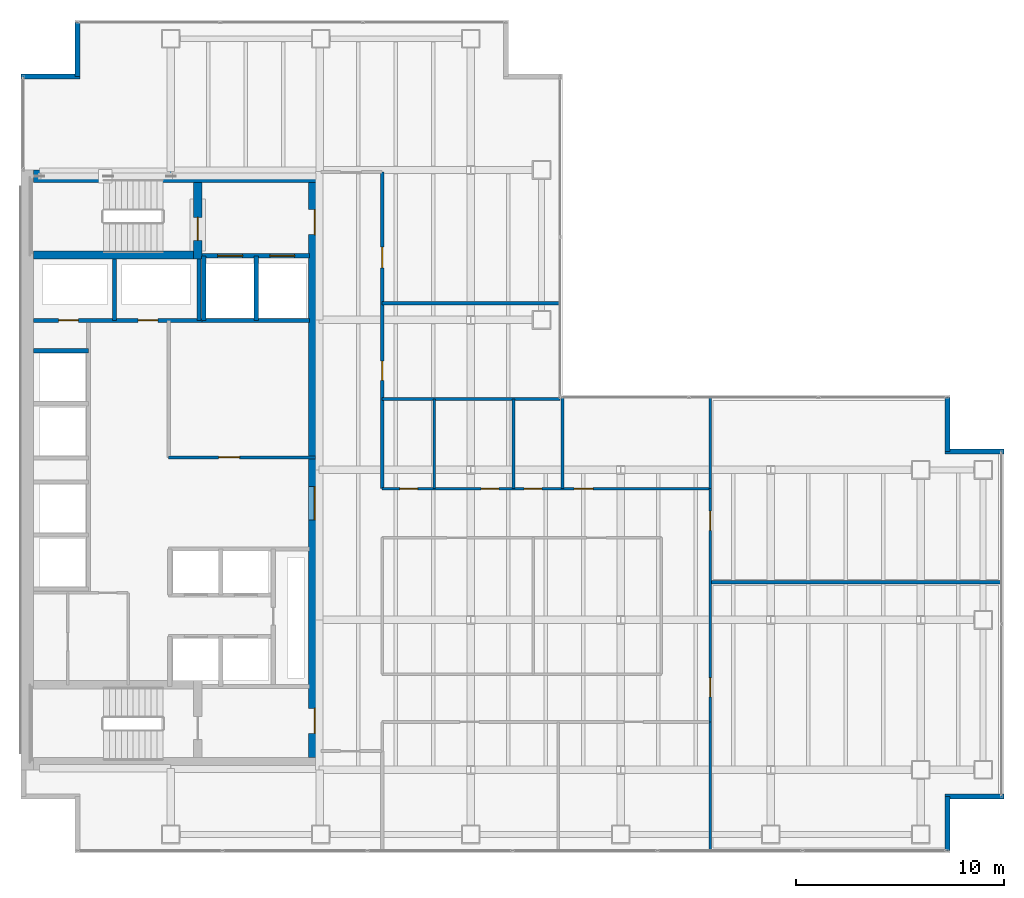
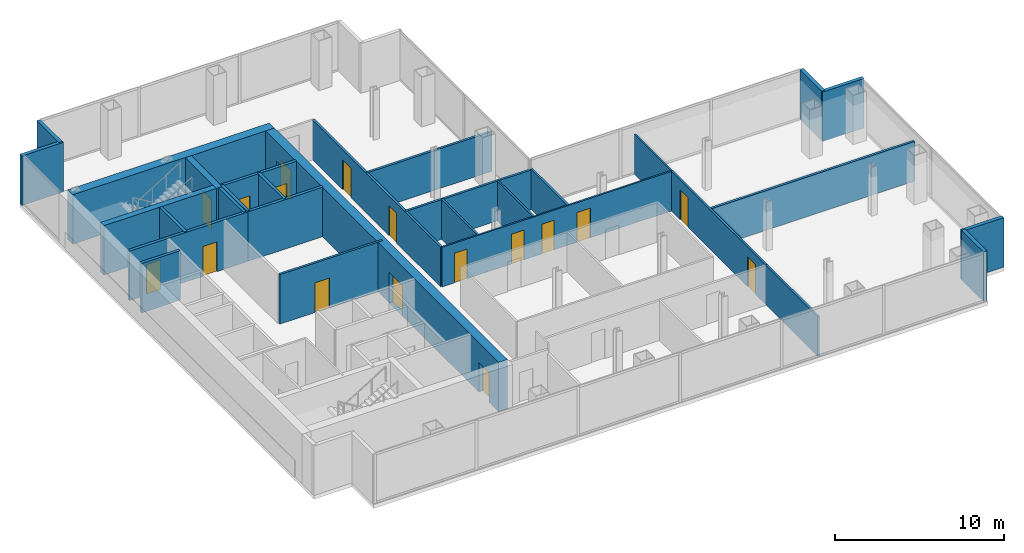
# One storey, part 21 of 23: 30 walls, 17 doors, 17 openings.
"""IFC4 building model written with IfcOpenShell, lengths in metres."""

from ifc_helpers import new_model, si_unit, direction, frame, frame_2d, origin, place, context, subcontext, project, spatial, rectangle, extrude, material, layer, layer_set, type_object, element, fill, save


model = new_model("IFC4")

# Units and contexts
model_context = context("Model", 3, precision=1e-05, world=origin(), true_north=direction((0.0, 1.0)))
body_context = subcontext(model_context, "Body", "Model", "MODEL_VIEW")
ifc_project = project(units=[si_unit("LENGTHUNIT", "METRE"), si_unit("AREAUNIT", "SQUARE_METRE"), si_unit("VOLUMEUNIT", "CUBIC_METRE"), si_unit("PLANEANGLEUNIT", "RADIAN"), si_unit("MASSUNIT", "GRAM", prefix="KILO")], contexts=[model_context])

# Site, building, storey
site_placement = place(None, origin())
site = spatial("IfcSite", under=ifc_project, at=site_placement, CompositionType="ELEMENT")
building_placement = place(site_placement, origin())
building = spatial("IfcBuilding", under=site, at=building_placement, Name="Cobrela Telecom Tower", CompositionType="ELEMENT")
storey_placement = place(building_placement, frame((0.0, 0.0, 140.699951171875)))
storey = spatial("IfcBuildingStorey", under=building, at=storey_placement, Name="L35", CompositionType="ELEMENT", Elevation=140.699951171875)

# Wall
ifc_material_1 = material(Name="Concrete C50/60", Category="concrete")
ifc_layer_1 = layer(ifc_material_1, 0.60009765625)
ifc_layer_set_1 = layer_set([ifc_layer_1], Name="Concrete C50/60")
wall_type_1 = type_object("IfcWallType", Name="WALL-CORE-C50-600", PredefinedType="SHEAR", material=ifc_layer_set_1)
wall_1_placement = place(storey_placement, frame((0.60009765625, 35.699951171875, 0.0), z_axis=(0.0, 0.0, 1.0), x_axis=(1.0, 0.0, 0.0)))
element("IfcWall", 1, at=wall_1_placement, inside=storey, type_object=wall_type_1, Name="L35 North Core Shear Wall", PredefinedType="SHEAR", context=body_context, shape_type="SweptSolid", body=[
    extrude(rectangle(XDim=13.7998046875, YDim=0.60009765625, at=frame_2d((6.89990234375, 0.0))), origin(), (0.0, 0.0, 1.0), 3.580078125),
])

# Wall, openings, doors
wall_2_placement = place(storey_placement, frame((14.10009765625, 35.39990234375, 0.0), z_axis=(0.0, 0.0, 1.0), x_axis=(0.0, -1.0, 0.0)))
wall_2 = element("IfcWall", 2, at=wall_2_placement, inside=storey, type_object=wall_type_1, Name="L35 East Core Shear Wall", PredefinedType="SHEAR", context=body_context, shape_type="SweptSolid", body=[
    extrude(rectangle(XDim=27.599853515625, YDim=0.60009765625, at=frame_2d((13.7998046875, 0.0))), origin(), (0.0, 0.0, 1.0), 3.580078125),
])
opening_1_placement = place(wall_2_placement, frame((1.300048828125, 0.0, 0.0)))
opening_1 = element("IfcOpeningElement", 3, at=opening_1_placement, cuts=wall_2, Name="Opening DR-19", PredefinedType="OPENING", context=body_context, shape_type="SweptSolid", body=[
    extrude(rectangle(XDim=1.199951171875, YDim=2.14990234375, at=frame_2d((0.60009765625, 1.074951171875))), frame((0.0, 0.31201171875, 0.0), z_axis=(0.0, -1.0, 0.0), x_axis=(1.0, 0.0, 0.0)), (0.0, 0.0, 1.0), 0.6240234375),
])
opening_2_placement = place(wall_2_placement, frame((25.25, 0.0, 0.0)))
opening_2 = element("IfcOpeningElement", 4, at=opening_2_placement, cuts=wall_2, Name="Opening DR-19", PredefinedType="OPENING", context=body_context, shape_type="SweptSolid", body=[
    extrude(rectangle(XDim=1.199951171875, YDim=2.14990234375, at=frame_2d((0.60009765625, 1.074951171875))), frame((0.0, 0.31201171875, 0.0), z_axis=(0.0, -1.0, 0.0), x_axis=(1.0, 0.0, 0.0)), (0.0, 0.0, 1.0), 0.6240234375),
])
opening_3_placement = place(wall_2_placement, frame((14.60009765625, 0.0, 0.0)))
opening_3 = element("IfcOpeningElement", 5, at=opening_3_placement, cuts=wall_2, Name="Opening DR-51", PredefinedType="OPENING", context=body_context, shape_type="SweptSolid", body=[
    extrude(rectangle(XDim=1.60009765625, YDim=2.199951171875, at=frame_2d((0.800048828125, 1.10009765625))), frame((0.0, 0.31201171875, 0.0), z_axis=(0.0, -1.0, 0.0), x_axis=(1.0, 0.0, 0.0)), (0.0, 0.0, 1.0), 0.6240234375),
])
ifc_material_2 = material(Name="Steel ASTM A36", Category="steel")
door_type_1 = type_object("IfcDoorType", Name="DOOR-FD60-1200", OperationType="SINGLE_SWING_LEFT", PredefinedType="DOOR", material=ifc_material_2)
door_1_placement = place(opening_1_placement, origin())
door_1 = element("IfcDoor", 6, at=door_1_placement, inside=storey, type_object=door_type_1, Name="L35 Door DR-19", OperationType="SINGLE_SWING_LEFT", OverallHeight=2.14990234375, OverallWidth=1.199951171875, PredefinedType="DOOR", context=body_context, shape_type="SweptSolid", body=[
    extrude(rectangle(XDim=1.199951171875, YDim=2.14990234375, at=frame_2d((0.60009765625, 1.074951171875))), frame((0.0, 0.02490234375, 0.0), z_axis=(0.0, -1.0, 0.0), x_axis=(1.0, 0.0, 0.0)), (0.0, 0.0, 1.0), 0.050048828125),
])
fill(opening_1, door_1)
door_2_placement = place(opening_2_placement, origin())
door_2 = element("IfcDoor", 7, at=door_2_placement, inside=storey, type_object=door_type_1, Name="L35 Door DR-19", OperationType="SINGLE_SWING_RIGHT", OverallHeight=2.14990234375, OverallWidth=1.199951171875, PredefinedType="DOOR", context=body_context, shape_type="SweptSolid", body=[
    extrude(rectangle(XDim=1.199951171875, YDim=2.14990234375, at=frame_2d((0.60009765625, 1.074951171875))), frame((0.0, 0.02490234375, 0.0), z_axis=(0.0, -1.0, 0.0), x_axis=(1.0, 0.0, 0.0)), (0.0, 0.0, 1.0), 0.050048828125),
])
fill(opening_2, door_2)
door_type_2 = type_object("IfcDoorType", Name="DOOR-FD60-1600", OperationType="SINGLE_SWING_LEFT", PredefinedType="DOOR", material=ifc_material_2)
door_3_placement = place(opening_3_placement, origin())
door_3 = element("IfcDoor", 8, at=door_3_placement, inside=storey, type_object=door_type_2, Name="L35 Door DR-51", OperationType="DOUBLE_DOOR_SINGLE_SWING", OverallHeight=2.199951171875, OverallWidth=1.60009765625, PredefinedType="DOOR", context=body_context, shape_type="SweptSolid", body=[
    extrude(rectangle(XDim=1.60009765625, YDim=2.199951171875, at=frame_2d((0.800048828125, 1.10009765625))), frame((0.0, 0.02490234375, 0.0), z_axis=(0.0, -1.0, 0.0), x_axis=(1.0, 0.0, 0.0)), (0.0, 0.0, 1.0), 0.050048828125),
])
fill(opening_3, door_3)

# Walls
ifc_material_3 = material(Name="Concrete C40/50", Category="concrete")
ifc_layer_2 = layer(ifc_material_3, 0.239990234375)
ifc_layer_set_2 = layer_set([ifc_layer_2], Name="Concrete C40/50")
wall_type_2 = type_object("IfcWallType", Name="WALL-EXT-300", PredefinedType="STANDARD", material=ifc_layer_set_2)
wall_3_placement = place(storey_placement, frame((0.0, 40.489990234375, 0.0), z_axis=(0.0, 0.0, 1.0), x_axis=(1.0, 0.0, 0.0)))
element("IfcWall", 9, at=wall_3_placement, inside=storey, type_object=wall_type_2, Name="L35 Insulated Facade Wall 05", PredefinedType="STANDARD", context=body_context, shape_type="SweptSolid", body=[
    extrude(rectangle(XDim=2.830078125, YDim=0.239990234375, at=frame_2d((1.4150390625, 0.0))), origin(), (0.0, 0.0, 1.0), 3.580078125),
])
for number, where, z_axis, x_axis, name in (
    (10, (2.7099609375, 40.489990234375, 0.0), (0.0, 0.0, 1.0), (0.0, 1.0, 0.0), "L35 Insulated Facade Wall 06"),
    (11, (44.489990234375, 25.080078125, 0.0), (0.0, 0.0, 1.0), (0.0, -1.0, 0.0), "L35 Insulated Facade Wall 12"),
):
    element("IfcWall", number, at=place(storey_placement, frame(where, z_axis=z_axis, x_axis=x_axis)), inside=storey, type_object=wall_type_2, Name=name, PredefinedType="STANDARD", context=body_context, shape_type="SweptSolid", body=[
        extrude(rectangle(XDim=2.590087890625, YDim=0.239990234375, at=frame_2d((1.294921875, 0.0))), origin(), (0.0, 0.0, 1.0), 3.580078125),
    ])
for number, where, z_axis, x_axis, name in (
    (12, (44.3701171875, 22.489990234375, 0.0), (0.0, 0.0, 1.0), (1.0, 0.0, 0.0), "L35 Insulated Facade Wall 13"),
    (13, (47.199951171875, 5.909912109375, 0.0), (0.0, 0.0, 1.0), (-1.0, 0.0, 0.0), "L35 Insulated Facade Wall 15"),
):
    element("IfcWall", number, at=place(storey_placement, frame(where, z_axis=z_axis, x_axis=x_axis)), inside=storey, type_object=wall_type_2, Name=name, PredefinedType="STANDARD", context=body_context, shape_type="SweptSolid", body=[
        extrude(rectangle(XDim=2.829833984375, YDim=0.239990234375, at=frame_2d((1.4150390625, 0.0))), origin(), (0.0, 0.0, 1.0), 3.580078125),
    ])
wall_4_placement = place(storey_placement, frame((44.489990234375, 5.909912109375, 0.0), z_axis=(0.0, 0.0, 1.0), x_axis=(0.0, -1.0, 0.0)))
element("IfcWall", 14, at=wall_4_placement, inside=storey, type_object=wall_type_2, Name="L35 Insulated Facade Wall 16", PredefinedType="STANDARD", context=body_context, shape_type="SweptSolid", body=[
    extrude(rectangle(XDim=2.58984375, YDim=0.239990234375, at=frame_2d((1.294921875, 0.0))), origin(), (0.0, 0.0, 1.0), 3.580078125),
])

# Wall, openings, doors
ifc_material_4 = material(Name="Fire-Rated Gypsum Plasterboard")
ifc_layer_3 = layer(ifc_material_4, 0.110107421875)
ifc_layer_set_3 = layer_set([ifc_layer_3], Name="Fire-Rated Gypsum Plasterboard")
wall_type_3 = type_object("IfcWallType", Name="WALL-PART-110", PredefinedType="PARTITIONING", material=ifc_layer_set_3)
wall_5_placement = place(storey_placement, frame((17.35009765625, 20.699951171875, 0.0), z_axis=(0.0, 0.0, 1.0), x_axis=(1.0, 0.0, 0.0)))
wall_5 = element("IfcWall", 15, at=wall_5_placement, inside=storey, type_object=wall_type_3, Name="L35 Interior Partition W-UN-N", PredefinedType="PARTITIONING", context=body_context, shape_type="SweptSolid", body=[
    extrude(rectangle(XDim=15.75, YDim=0.110107421875, at=frame_2d((7.875, 0.0))), origin(), (0.0, 0.0, 1.0), 2.869140625),
])
opening_4_placement = place(wall_5_placement, frame((0.85009765625, 0.0, 0.0)))
opening_4 = element("IfcOpeningElement", 16, at=opening_4_placement, cuts=wall_5, Name="Opening DR-11", PredefinedType="OPENING", context=body_context, shape_type="SweptSolid", body=[
    extrude(rectangle(XDim=0.85009765625, YDim=2.14990234375, at=frame_2d((0.425048828125, 1.074951171875))), frame((0.0, 0.06689453125, 0.0), z_axis=(0.0, -1.0, 0.0), x_axis=(1.0, 0.0, 0.0)), (0.0, 0.0, 1.0), 0.134033203125),
])
opening_5_placement = place(wall_5_placement, frame((4.75, 0.0, 0.0)))
opening_5 = element("IfcOpeningElement", 17, at=opening_5_placement, cuts=wall_5, Name="Opening DR-11", PredefinedType="OPENING", context=body_context, shape_type="SweptSolid", body=[
    extrude(rectangle(XDim=0.85009765625, YDim=2.14990234375, at=frame_2d((0.425048828125, 1.074951171875))), frame((0.0, 0.06689453125, 0.0), z_axis=(0.0, -1.0, 0.0), x_axis=(1.0, 0.0, 0.0)), (0.0, 0.0, 1.0), 0.134033203125),
])
opening_6_placement = place(wall_5_placement, frame((6.81005859375, 0.0, 0.0)))
opening_6 = element("IfcOpeningElement", 18, at=opening_6_placement, cuts=wall_5, Name="Opening DR-11", PredefinedType="OPENING", context=body_context, shape_type="SweptSolid", body=[
    extrude(rectangle(XDim=0.85009765625, YDim=2.14990234375, at=frame_2d((0.425048828125, 1.074951171875))), frame((0.0, 0.06689453125, 0.0), z_axis=(0.0, -1.0, 0.0), x_axis=(1.0, 0.0, 0.0)), (0.0, 0.0, 1.0), 0.134033203125),
])
opening_7_placement = place(wall_5_placement, frame((9.2099609375, 0.0, 0.0)))
opening_7 = element("IfcOpeningElement", 19, at=opening_7_placement, cuts=wall_5, Name="Opening DR-45", PredefinedType="OPENING", context=body_context, shape_type="SweptSolid", body=[
    extrude(rectangle(XDim=0.919921875, YDim=2.14990234375, at=frame_2d((0.4599609375, 1.074951171875))), frame((0.0, 0.06689453125, 0.0), z_axis=(0.0, -1.0, 0.0), x_axis=(1.0, 0.0, 0.0)), (0.0, 0.0, 1.0), 0.134033203125),
])
ifc_material_5 = material(Name="Solid Engineered Oak Timber", Category="wood")
door_type_3 = type_object("IfcDoorType", Name="DOOR-INT-850", OperationType="SINGLE_SWING_LEFT", PredefinedType="DOOR", material=ifc_material_5)
door_4_placement = place(opening_4_placement, origin())
door_4 = element("IfcDoor", 20, at=door_4_placement, inside=storey, type_object=door_type_3, Name="L35 Door DR-11", OperationType="SINGLE_SWING_LEFT", OverallHeight=2.14990234375, OverallWidth=0.85009765625, PredefinedType="DOOR", context=body_context, shape_type="SweptSolid", body=[
    extrude(rectangle(XDim=0.85009765625, YDim=2.14990234375, at=frame_2d((0.425048828125, 1.074951171875))), frame((0.0, 0.02490234375, 0.0), z_axis=(0.0, -1.0, 0.0), x_axis=(1.0, 0.0, 0.0)), (0.0, 0.0, 1.0), 0.050048828125),
])
fill(opening_4, door_4)
door_5_placement = place(opening_5_placement, origin())
door_5 = element("IfcDoor", 21, at=door_5_placement, inside=storey, type_object=door_type_3, Name="L35 Door DR-11", OperationType="SINGLE_SWING_RIGHT", OverallHeight=2.14990234375, OverallWidth=0.85009765625, PredefinedType="DOOR", context=body_context, shape_type="SweptSolid", body=[
    extrude(rectangle(XDim=0.85009765625, YDim=2.14990234375, at=frame_2d((0.425048828125, 1.074951171875))), frame((0.0, 0.02490234375, 0.0), z_axis=(0.0, -1.0, 0.0), x_axis=(1.0, 0.0, 0.0)), (0.0, 0.0, 1.0), 0.050048828125),
])
fill(opening_5, door_5)
door_6_placement = place(opening_6_placement, origin())
door_6 = element("IfcDoor", 22, at=door_6_placement, inside=storey, type_object=door_type_3, Name="L35 Door DR-11", OperationType="SINGLE_SWING_LEFT", OverallHeight=2.14990234375, OverallWidth=0.85009765625, PredefinedType="DOOR", context=body_context, shape_type="SweptSolid", body=[
    extrude(rectangle(XDim=0.85009765625, YDim=2.14990234375, at=frame_2d((0.425048828125, 1.074951171875))), frame((0.0, 0.02490234375, 0.0), z_axis=(0.0, -1.0, 0.0), x_axis=(1.0, 0.0, 0.0)), (0.0, 0.0, 1.0), 0.050048828125),
])
fill(opening_6, door_6)
door_type_4 = type_object("IfcDoorType", Name="DOOR-INT-920", OperationType="SINGLE_SWING_LEFT", PredefinedType="DOOR", material=ifc_material_5)
door_7_placement = place(opening_7_placement, origin())
door_7 = element("IfcDoor", 23, at=door_7_placement, inside=storey, type_object=door_type_4, Name="L35 Door DR-45", OperationType="SINGLE_SWING_RIGHT", OverallHeight=2.14990234375, OverallWidth=0.919921875, PredefinedType="DOOR", context=body_context, shape_type="SweptSolid", body=[
    extrude(rectangle(XDim=0.919921875, YDim=2.14990234375, at=frame_2d((0.4599609375, 1.074951171875))), frame((0.0, 0.02490234375, 0.0), z_axis=(0.0, -1.0, 0.0), x_axis=(1.0, 0.0, 0.0)), (0.0, 0.0, 1.0), 0.050048828125),
])
fill(opening_7, door_7)

# Walls
wall_6_placement = place(storey_placement, frame((33.10009765625, 20.699951171875, 0.0), z_axis=(0.0, 0.0, 1.0), x_axis=(0.0, 1.0, 0.0)))
element("IfcWall", 24, at=wall_6_placement, inside=storey, type_object=wall_type_3, Name="L35 Interior Partition W-UFE-N", PredefinedType="PARTITIONING", context=body_context, shape_type="SweptSolid", body=[
    extrude(rectangle(XDim=4.380126953125, YDim=0.110107421875, at=frame_2d((2.18994140625, 0.0))), origin(), (0.0, 0.0, 1.0), 2.869140625),
])
ifc_layer_4 = layer(ifc_material_4, 0.125)
ifc_layer_set_4 = layer_set([ifc_layer_4], Name="Fire-Rated Gypsum Plasterboard")
wall_type_4 = type_object("IfcWallType", Name="WALL-PART-125", PredefinedType="PARTITIONING", material=ifc_layer_set_4)
for number, where, z_axis, x_axis, name in (
    (25, (19.85009765625, 20.699951171875, 0.0), (0.0, 0.0, 1.0), (0.0, 1.0, 0.0), "L35 Interior Partition W-WC-V1"),
    (26, (23.64990234375, 20.699951171875, 0.0), (0.0, 0.0, 1.0), (0.0, 1.0, 0.0), "L35 Interior Partition W-WC-V2"),
):
    element("IfcWall", number, at=place(storey_placement, frame(where, z_axis=z_axis, x_axis=x_axis)), inside=storey, type_object=wall_type_4, Name=name, PredefinedType="PARTITIONING", context=body_context, shape_type="SweptSolid", body=[
        extrude(rectangle(XDim=4.300048828125, YDim=0.125, at=frame_2d((2.14990234375, 0.0))), origin(), (0.0, 0.0, 1.0), 2.869140625),
    ])

# Wall, openings, doors
ifc_layer_5 = layer(ifc_material_4, 0.135009765625)
ifc_layer_set_5 = layer_set([ifc_layer_5], Name="Fire-Rated Gypsum Plasterboard")
wall_type_5 = type_object("IfcWallType", Name="WALL-PART-135", PredefinedType="PARTITIONING", material=ifc_layer_set_5)
wall_7_placement = place(storey_placement, frame((33.10009765625, 9.5, 0.0), z_axis=(0.0, 0.0, 1.0), x_axis=(0.0, 1.0, 0.0)))
wall_7 = element("IfcWall", 27, at=wall_7_placement, inside=storey, type_object=wall_type_5, Name="L35 Interior Partition W-UE-E", PredefinedType="PARTITIONING", context=body_context, shape_type="SweptSolid", body=[
    extrude(rectangle(XDim=11.199951171875, YDim=0.135009765625, at=frame_2d((5.60009765625, 0.0))), origin(), (0.0, 0.0, 1.0), 2.869140625),
])
opening_8_placement = place(wall_7_placement, frame((1.199951171875, 0.0, 0.0)))
opening_8 = element("IfcOpeningElement", 28, at=opening_8_placement, cuts=wall_7, Name="Opening DR-45", PredefinedType="OPENING", context=body_context, shape_type="SweptSolid", body=[
    extrude(rectangle(XDim=0.919921875, YDim=2.14990234375, at=frame_2d((0.4599609375, 1.074951171875))), frame((0.0, 0.07958984375, 0.0), z_axis=(0.0, -1.0, 0.0), x_axis=(1.0, 0.0, 0.0)), (0.0, 0.0, 1.0), 0.158935546875),
])
opening_9_placement = place(wall_7_placement, frame((9.199951171875, 0.0, 0.0)))
opening_9 = element("IfcOpeningElement", 29, at=opening_9_placement, cuts=wall_7, Name="Opening DR-45", PredefinedType="OPENING", context=body_context, shape_type="SweptSolid", body=[
    extrude(rectangle(XDim=0.919921875, YDim=2.14990234375, at=frame_2d((0.4599609375, 1.074951171875))), frame((0.0, 0.07958984375, 0.0), z_axis=(0.0, -1.0, 0.0), x_axis=(1.0, 0.0, 0.0)), (0.0, 0.0, 1.0), 0.158935546875),
])
door_8_placement = place(opening_8_placement, origin())
door_8 = element("IfcDoor", 30, at=door_8_placement, inside=storey, type_object=door_type_4, Name="L35 Door DR-45", OperationType="SINGLE_SWING_LEFT", OverallHeight=2.14990234375, OverallWidth=0.919921875, PredefinedType="DOOR", context=body_context, shape_type="SweptSolid", body=[
    extrude(rectangle(XDim=0.919921875, YDim=2.14990234375, at=frame_2d((0.4599609375, 1.074951171875))), frame((0.0, 0.02490234375, 0.0), z_axis=(0.0, -1.0, 0.0), x_axis=(1.0, 0.0, 0.0)), (0.0, 0.0, 1.0), 0.050048828125),
])
fill(opening_8, door_8)
door_9_placement = place(opening_9_placement, origin())
door_9 = element("IfcDoor", 31, at=door_9_placement, inside=storey, type_object=door_type_4, Name="L35 Door DR-45", OperationType="SINGLE_SWING_RIGHT", OverallHeight=2.14990234375, OverallWidth=0.919921875, PredefinedType="DOOR", context=body_context, shape_type="SweptSolid", body=[
    extrude(rectangle(XDim=0.919921875, YDim=2.14990234375, at=frame_2d((0.4599609375, 1.074951171875))), frame((0.0, 0.02490234375, 0.0), z_axis=(0.0, -1.0, 0.0), x_axis=(1.0, 0.0, 0.0)), (0.0, 0.0, 1.0), 0.050048828125),
])
fill(opening_9, door_9)

# Wall
wall_8_placement = place(storey_placement, frame((33.10009765625, 3.320068359375, 0.0), z_axis=(0.0, 0.0, 1.0), x_axis=(0.0, 1.0, 0.0)))
element("IfcWall", 32, at=wall_8_placement, inside=storey, type_object=wall_type_5, Name="L35 Interior Partition W-UFE-S", PredefinedType="PARTITIONING", context=body_context, shape_type="SweptSolid", body=[
    extrude(rectangle(XDim=6.179931640625, YDim=0.135009765625, at=frame_2d((3.08984375, 0.0))), origin(), (0.0, 0.0, 1.0), 2.869140625),
])

# Wall, opening, door
ifc_layer_6 = layer(ifc_material_4, 0.14990234375)
ifc_layer_set_6 = layer_set([ifc_layer_6], Name="Fire-Rated Gypsum Plasterboard")
wall_type_6 = type_object("IfcWallType", Name="WALL-PART-150", PredefinedType="PARTITIONING", material=ifc_layer_set_6)
wall_9_placement = place(storey_placement, frame((7.10009765625, 22.199951171875, 0.0), z_axis=(0.0, 0.0, 1.0), x_axis=(1.0, 0.0, 0.0)))
wall_9 = element("IfcWall", 33, at=wall_9_placement, inside=storey, type_object=wall_type_6, Name="L35 Interior Partition CW-RECL-S", PredefinedType="PARTITIONING", context=body_context, shape_type="SweptSolid", body=[
    extrude(rectangle(XDim=7.0498046875, YDim=0.14990234375, at=frame_2d((3.52490234375, 0.0))), origin(), (0.0, 0.0, 1.0), 3.580078125),
])
opening_10_placement = place(wall_9_placement, frame((2.39990234375, 0.0, 0.0)))
opening_10 = element("IfcOpeningElement", 34, at=opening_10_placement, cuts=wall_9, Name="Opening DR-31", PredefinedType="OPENING", context=body_context, shape_type="SweptSolid", body=[
    extrude(rectangle(XDim=1.0, YDim=2.14990234375, at=frame_2d((0.5, 1.074951171875))), frame((0.0, 0.0869140625, 0.0), z_axis=(0.0, -1.0, 0.0), x_axis=(1.0, 0.0, 0.0)), (0.0, 0.0, 1.0), 0.173828125),
])
door_type_5 = type_object("IfcDoorType", Name="DOOR-INT-1000", OperationType="SINGLE_SWING_LEFT", PredefinedType="DOOR", material=ifc_material_5)
door_10_placement = place(opening_10_placement, origin())
door_10 = element("IfcDoor", 35, at=door_10_placement, inside=storey, type_object=door_type_5, Name="L35 Door DR-31", OperationType="SINGLE_SWING_LEFT", OverallHeight=2.14990234375, OverallWidth=1.0, PredefinedType="DOOR", context=body_context, shape_type="SweptSolid", body=[
    extrude(rectangle(XDim=1.0, YDim=2.14990234375, at=frame_2d((0.5, 1.074951171875))), frame((0.0, 0.02490234375, 0.0), z_axis=(0.0, -1.0, 0.0), x_axis=(1.0, 0.0, 0.0)), (0.0, 0.0, 1.0), 0.050048828125),
])
fill(opening_10, door_10)

# Walls
wall_10_placement = place(storey_placement, frame((17.35009765625, 25.0, 0.0), z_axis=(0.0, 0.0, 1.0), x_axis=(1.0, 0.0, 0.0)))
element("IfcWall", 36, at=wall_10_placement, inside=storey, type_object=wall_type_6, Name="L35 Interior Partition W-WC-N", PredefinedType="PARTITIONING", context=body_context, shape_type="SweptSolid", body=[
    extrude(rectangle(XDim=8.52978515625, YDim=0.14990234375, at=frame_2d((4.264892578125, 0.0))), origin(), (0.0, 0.0, 1.0), 2.869140625),
])
wall_11_placement = place(storey_placement, frame((26.0, 20.699951171875, 0.0), z_axis=(0.0, 0.0, 1.0), x_axis=(0.0, 1.0, 0.0)))
element("IfcWall", 37, at=wall_11_placement, inside=storey, type_object=wall_type_6, Name="L35 Interior Partition W-UEN-W", PredefinedType="PARTITIONING", context=body_context, shape_type="SweptSolid", body=[
    extrude(rectangle(XDim=4.380126953125, YDim=0.14990234375, at=frame_2d((2.18994140625, 0.0))), origin(), (0.0, 0.0, 1.0), 2.869140625),
])

# Wall, openings, doors
ifc_layer_7 = layer(ifc_material_4, 0.159912109375)
ifc_layer_set_7 = layer_set([ifc_layer_7], Name="Fire-Rated Gypsum Plasterboard")
wall_type_7 = type_object("IfcWallType", Name="WALL-PART-160", PredefinedType="PARTITIONING", material=ifc_layer_set_7)
wall_12_placement = place(storey_placement, frame((17.35009765625, 20.699951171875, 0.0), z_axis=(0.0, 0.0, 1.0), x_axis=(0.0, 1.0, 0.0)))
wall_12 = element("IfcWall", 38, at=wall_12_placement, inside=storey, type_object=wall_type_7, Name="L35 Interior Partition W-UW-E2", PredefinedType="PARTITIONING", context=body_context, shape_type="SweptSolid", body=[
    extrude(rectangle(XDim=15.199951171875, YDim=0.159912109375, at=frame_2d((7.60009765625, 0.0))), origin(), (0.0, 0.0, 1.0), 2.869140625),
])
opening_11_placement = place(wall_12_placement, frame((5.199951171875, 0.0, 0.0)))
opening_11 = element("IfcOpeningElement", 39, at=opening_11_placement, cuts=wall_12, Name="Opening DR-45", PredefinedType="OPENING", context=body_context, shape_type="SweptSolid", body=[
    extrude(rectangle(XDim=0.919921875, YDim=2.14990234375, at=frame_2d((0.4599609375, 1.074951171875))), frame((0.0, 0.091796875, 0.0), z_axis=(0.0, -1.0, 0.0), x_axis=(1.0, 0.0, 0.0)), (0.0, 0.0, 1.0), 0.183837890625),
])
opening_12_placement = place(wall_12_placement, frame((10.60009765625, 0.0, 0.0)))
opening_12 = element("IfcOpeningElement", 40, at=opening_12_placement, cuts=wall_12, Name="Opening DR-31", PredefinedType="OPENING", context=body_context, shape_type="SweptSolid", body=[
    extrude(rectangle(XDim=1.0, YDim=2.14990234375, at=frame_2d((0.5, 1.074951171875))), frame((0.0, 0.091796875, 0.0), z_axis=(0.0, -1.0, 0.0), x_axis=(1.0, 0.0, 0.0)), (0.0, 0.0, 1.0), 0.183837890625),
])
door_11_placement = place(opening_12_placement, origin())
door_11 = element("IfcDoor", 41, at=door_11_placement, inside=storey, type_object=door_type_5, Name="L35 Door DR-31", OperationType="SINGLE_SWING_LEFT", OverallHeight=2.14990234375, OverallWidth=1.0, PredefinedType="DOOR", context=body_context, shape_type="SweptSolid", body=[
    extrude(rectangle(XDim=1.0, YDim=2.14990234375, at=frame_2d((0.5, 1.074951171875))), frame((0.0, 0.02490234375, 0.0), z_axis=(0.0, -1.0, 0.0), x_axis=(1.0, 0.0, 0.0)), (0.0, 0.0, 1.0), 0.050048828125),
])
fill(opening_12, door_11)
door_12_placement = place(opening_11_placement, origin())
door_12 = element("IfcDoor", 42, at=door_12_placement, inside=storey, type_object=door_type_4, Name="L35 Door DR-45", OperationType="SINGLE_SWING_RIGHT", OverallHeight=2.14990234375, OverallWidth=0.919921875, PredefinedType="DOOR", context=body_context, shape_type="SweptSolid", body=[
    extrude(rectangle(XDim=0.919921875, YDim=2.14990234375, at=frame_2d((0.4599609375, 1.074951171875))), frame((0.0, 0.02490234375, 0.0), z_axis=(0.0, -1.0, 0.0), x_axis=(1.0, 0.0, 0.0)), (0.0, 0.0, 1.0), 0.050048828125),
])
fill(opening_11, door_12)

# Walls
wall_13_placement = place(storey_placement, frame((17.35009765625, 29.60009765625, 0.0), z_axis=(0.0, 0.0, 1.0), x_axis=(1.0, 0.0, 0.0)))
element("IfcWall", 43, at=wall_13_placement, inside=storey, type_object=wall_type_7, Name="L35 Interior Partition W-NPAN-N", PredefinedType="PARTITIONING", context=body_context, shape_type="SweptSolid", body=[
    extrude(rectangle(XDim=8.52978515625, YDim=0.159912109375, at=frame_2d((4.264892578125, 0.0))), origin(), (0.0, 0.0, 1.0), 2.869140625),
])
wall_14_placement = place(storey_placement, frame((33.10009765625, 16.199951171875, 0.0), z_axis=(0.0, 0.0, 1.0), x_axis=(1.0, 0.0, 0.0)))
element("IfcWall", 44, at=wall_14_placement, inside=storey, type_object=wall_type_7, Name="L35 Interior Partition W-UFE-H", PredefinedType="PARTITIONING", context=body_context, shape_type="SweptSolid", body=[
    extrude(rectangle(XDim=13.97998046875, YDim=0.159912109375, at=frame_2d((6.989990234375, 0.0))), origin(), (0.0, 0.0, 1.0), 2.869140625),
])

# Wall, openings, doors
ifc_layer_8 = layer(ifc_material_4, 0.199951171875)
ifc_layer_set_8 = layer_set([ifc_layer_8], Name="Fire-Rated Gypsum Plasterboard")
wall_type_8 = type_object("IfcWallType", Name="WALL-SHAFT-200", PredefinedType="PARTITIONING", material=ifc_layer_set_8)
wall_15_placement = place(storey_placement, frame((8.699951171875, 31.8798828125, 0.0), z_axis=(0.0, 0.0, 1.0), x_axis=(1.0, 0.0, 0.0)))
wall_15 = element("IfcWall", 45, at=wall_15_placement, inside=storey, type_object=wall_type_8, Name="L35 Shaft Enclosure CW-FFL-S", PredefinedType="PARTITIONING", context=body_context, shape_type="SweptSolid", body=[
    extrude(rectangle(XDim=5.150146484375, YDim=0.199951171875, at=frame_2d((2.5751953125, 0.0))), origin(), (0.0, 0.0, 1.0), 3.580078125),
])
opening_13_placement = place(wall_15_placement, frame((0.75, 0.0, 0.0)))
opening_13 = element("IfcOpeningElement", 46, at=opening_13_placement, cuts=wall_15, Name="Opening LD-2", PredefinedType="OPENING", context=body_context, shape_type="SweptSolid", body=[
    extrude(rectangle(XDim=1.199951171875, YDim=2.199951171875, at=frame_2d((0.60009765625, 1.10009765625))), frame((0.0, 0.11181640625, 0.0), z_axis=(0.0, -1.0, 0.0), x_axis=(1.0, 0.0, 0.0)), (0.0, 0.0, 1.0), 0.223876953125),
])
opening_14_placement = place(wall_15_placement, frame((3.25, 0.0, 0.0)))
opening_14 = element("IfcOpeningElement", 47, at=opening_14_placement, cuts=wall_15, Name="Opening LD-2", PredefinedType="OPENING", context=body_context, shape_type="SweptSolid", body=[
    extrude(rectangle(XDim=1.199951171875, YDim=2.199951171875, at=frame_2d((0.60009765625, 1.10009765625))), frame((0.0, 0.11181640625, 0.0), z_axis=(0.0, -1.0, 0.0), x_axis=(1.0, 0.0, 0.0)), (0.0, 0.0, 1.0), 0.223876953125),
])
door_type_6 = type_object("IfcDoorType", Name="DOOR-LD-FFL", OperationType="SINGLE_SWING_LEFT", PredefinedType="DOOR", material=ifc_material_2)
door_13_placement = place(opening_13_placement, origin())
door_13 = element("IfcDoor", 48, at=door_13_placement, inside=storey, type_object=door_type_6, Name="L35 Lift Landing Door LD-2", OperationType="DOUBLE_DOOR_SLIDING", OverallHeight=2.199951171875, OverallWidth=1.199951171875, PredefinedType="DOOR", context=body_context, shape_type="SweptSolid", body=[
    extrude(rectangle(XDim=1.199951171875, YDim=2.199951171875, at=frame_2d((0.60009765625, 1.10009765625))), frame((0.0, 0.02490234375, 0.0), z_axis=(0.0, -1.0, 0.0), x_axis=(1.0, 0.0, 0.0)), (0.0, 0.0, 1.0), 0.050048828125),
])
fill(opening_13, door_13)
door_14_placement = place(opening_14_placement, origin())
door_14 = element("IfcDoor", 49, at=door_14_placement, inside=storey, type_object=door_type_6, Name="L35 Lift Landing Door LD-2", OperationType="DOUBLE_DOOR_SLIDING", OverallHeight=2.199951171875, OverallWidth=1.199951171875, PredefinedType="DOOR", context=body_context, shape_type="SweptSolid", body=[
    extrude(rectangle(XDim=1.199951171875, YDim=2.199951171875, at=frame_2d((0.60009765625, 1.10009765625))), frame((0.0, 0.02490234375, 0.0), z_axis=(0.0, -1.0, 0.0), x_axis=(1.0, 0.0, 0.0)), (0.0, 0.0, 1.0), 0.050048828125),
])
fill(opening_14, door_14)

# Walls
wall_16_placement = place(storey_placement, frame((8.699951171875, 28.780029296875, 0.0), z_axis=(0.0, 0.0, 1.0), x_axis=(1.0, 0.0, 0.0)))
element("IfcWall", 50, at=wall_16_placement, inside=storey, type_object=wall_type_8, Name="L35 Shaft Enclosure CW-FFL-S2", PredefinedType="PARTITIONING", context=body_context, shape_type="SweptSolid", body=[
    extrude(rectangle(XDim=5.150146484375, YDim=0.199951171875, at=frame_2d((2.5751953125, 0.0))), origin(), (0.0, 0.0, 1.0), 3.580078125),
])
for number, where, z_axis, x_axis, name in (
    (51, (8.780029296875, 28.780029296875, 0.0), (0.0, 0.0, 1.0), (0.0, 1.0, 0.0), "L35 Shaft Enclosure CW-FFL-W"),
    (52, (11.300048828125, 28.780029296875, 0.0), (0.0, 0.0, 1.0), (0.0, 1.0, 0.0), "L35 Shaft Enclosure CW-FFL-M"),
):
    element("IfcWall", number, at=place(storey_placement, frame(where, z_axis=z_axis, x_axis=x_axis)), inside=storey, type_object=wall_type_8, Name=name, PredefinedType="PARTITIONING", context=body_context, shape_type="SweptSolid", body=[
        extrude(rectangle(XDim=3.099853515625, YDim=0.199951171875, at=frame_2d((1.5498046875, 0.0))), origin(), (0.0, 0.0, 1.0), 3.580078125),
    ])

# Wall, openings, doors
wall_17_placement = place(storey_placement, frame((0.60009765625, 28.780029296875, 0.0), z_axis=(0.0, 0.0, 1.0), x_axis=(1.0, 0.0, 0.0)))
wall_17 = element("IfcWall", 53, at=wall_17_placement, inside=storey, type_object=wall_type_8, Name="L35 Shaft Enclosure CW-RIS-S", PredefinedType="PARTITIONING", context=body_context, shape_type="SweptSolid", body=[
    extrude(rectangle(XDim=8.179931640625, YDim=0.199951171875, at=frame_2d((4.08984375, 0.0))), origin(), (0.0, 0.0, 1.0), 3.580078125),
])
opening_15_placement = place(wall_17_placement, frame((1.2099609375, 0.0, 0.0)))
opening_15 = element("IfcOpeningElement", 54, at=opening_15_placement, cuts=wall_17, Name="Opening DR-65", PredefinedType="OPENING", context=body_context, shape_type="SweptSolid", body=[
    extrude(rectangle(XDim=0.949951171875, YDim=2.14990234375, at=frame_2d((0.47509765625, 1.074951171875))), frame((0.0, 0.11181640625, 0.0), z_axis=(0.0, -1.0, 0.0), x_axis=(1.0, 0.0, 0.0)), (0.0, 0.0, 1.0), 0.223876953125),
])
opening_16_placement = place(wall_17_placement, frame((5.030029296875, 0.0, 0.0)))
opening_16 = element("IfcOpeningElement", 55, at=opening_16_placement, cuts=wall_17, Name="Opening DR-65", PredefinedType="OPENING", context=body_context, shape_type="SweptSolid", body=[
    extrude(rectangle(XDim=0.949951171875, YDim=2.14990234375, at=frame_2d((0.47509765625, 1.074951171875))), frame((0.0, 0.11181640625, 0.0), z_axis=(0.0, -1.0, 0.0), x_axis=(1.0, 0.0, 0.0)), (0.0, 0.0, 1.0), 0.223876953125),
])
door_type_7 = type_object("IfcDoorType", Name="DOOR-FD60-950", OperationType="SINGLE_SWING_LEFT", PredefinedType="DOOR", material=ifc_material_2)
door_15_placement = place(opening_15_placement, origin())
door_15 = element("IfcDoor", 56, at=door_15_placement, inside=storey, type_object=door_type_7, Name="L35 Door DR-65", OperationType="SINGLE_SWING_LEFT", OverallHeight=2.14990234375, OverallWidth=0.949951171875, PredefinedType="DOOR", context=body_context, shape_type="SweptSolid", body=[
    extrude(rectangle(XDim=0.949951171875, YDim=2.14990234375, at=frame_2d((0.47509765625, 1.074951171875))), frame((0.0, 0.02490234375, 0.0), z_axis=(0.0, -1.0, 0.0), x_axis=(1.0, 0.0, 0.0)), (0.0, 0.0, 1.0), 0.050048828125),
])
fill(opening_15, door_15)
door_16_placement = place(opening_16_placement, origin())
door_16 = element("IfcDoor", 57, at=door_16_placement, inside=storey, type_object=door_type_7, Name="L35 Door DR-65", OperationType="SINGLE_SWING_RIGHT", OverallHeight=2.14990234375, OverallWidth=0.949951171875, PredefinedType="DOOR", context=body_context, shape_type="SweptSolid", body=[
    extrude(rectangle(XDim=0.949951171875, YDim=2.14990234375, at=frame_2d((0.47509765625, 1.074951171875))), frame((0.0, 0.02490234375, 0.0), z_axis=(0.0, -1.0, 0.0), x_axis=(1.0, 0.0, 0.0)), (0.0, 0.0, 1.0), 0.050048828125),
])
fill(opening_16, door_16)

# Walls
for number, where, z_axis, x_axis, name in (
    (58, (4.5, 28.780029296875, 0.0), (0.0, 0.0, 1.0), (0.0, 1.0, 0.0), "L35 Shaft Enclosure CW-RIS-M"),
    (59, (8.550048828125, 28.780029296875, 0.0), (0.0, 0.0, 1.0), (0.0, 1.0, 0.0), "L35 Shaft Enclosure CW-RIS-E"),
):
    element("IfcWall", number, at=place(storey_placement, frame(where, z_axis=z_axis, x_axis=x_axis)), inside=storey, type_object=wall_type_8, Name=name, PredefinedType="PARTITIONING", context=body_context, shape_type="SweptSolid", body=[
        extrude(rectangle(XDim=2.93994140625, YDim=0.199951171875, at=frame_2d((1.469970703125, 0.0))), origin(), (0.0, 0.0, 1.0), 3.580078125),
    ])
wall_18_placement = place(storey_placement, frame((0.60009765625, 27.320068359375, 0.0), z_axis=(0.0, 0.0, 1.0), x_axis=(1.0, 0.0, 0.0)))
element("IfcWall", 60, at=wall_18_placement, inside=storey, type_object=wall_type_8, Name="L35 Shaft Enclosure CW-PLH-TOP", PredefinedType="PARTITIONING", context=body_context, shape_type="SweptSolid", body=[
    extrude(rectangle(XDim=2.64990234375, YDim=0.199951171875, at=frame_2d((1.324951171875, 0.0))), origin(), (0.0, 0.0, 1.0), 3.580078125),
])
ifc_layer_9 = layer(ifc_material_3, 0.39990234375)
ifc_layer_set_9 = layer_set([ifc_layer_9], Name="Concrete C40/50")
wall_type_9 = type_object("IfcWallType", Name="WALL-SHAFT-C40-400", PredefinedType="SHEAR", material=ifc_layer_set_9)
wall_19_placement = place(storey_placement, frame((0.60009765625, 31.919921875, 0.0), z_axis=(0.0, 0.0, 1.0), x_axis=(1.0, 0.0, 0.0)))
element("IfcWall", 61, at=wall_19_placement, inside=storey, type_object=wall_type_9, Name="L35 North Stair Shear Wall", PredefinedType="SHEAR", context=body_context, shape_type="SweptSolid", body=[
    extrude(rectangle(XDim=7.699951171875, YDim=0.39990234375, at=frame_2d((3.85009765625, 0.0))), origin(), (0.0, 0.0, 1.0), 3.580078125),
])

# Wall, opening, door
wall_20_placement = place(storey_placement, frame((8.5, 31.719970703125, 0.0), z_axis=(0.0, 0.0, 1.0), x_axis=(0.0, 1.0, 0.0)))
wall_20 = element("IfcWall", 62, at=wall_20_placement, inside=storey, type_object=wall_type_9, Name="L35 North Stair Lobby Shear Wall", PredefinedType="SHEAR", context=body_context, shape_type="SweptSolid", body=[
    extrude(rectangle(XDim=3.679931640625, YDim=0.39990234375, at=frame_2d((1.83984375, 0.0))), origin(), (0.0, 0.0, 1.0), 3.580078125),
])
opening_17_placement = place(wall_20_placement, frame((0.89990234375, 0.0, 0.0)))
opening_17 = element("IfcOpeningElement", 63, at=opening_17_placement, cuts=wall_20, Name="Opening DR-59", PredefinedType="OPENING", context=body_context, shape_type="SweptSolid", body=[
    extrude(rectangle(XDim=1.10009765625, YDim=2.14990234375, at=frame_2d((0.550048828125, 1.074951171875))), frame((0.0, 0.2119140625, 0.0), z_axis=(0.0, -1.0, 0.0), x_axis=(1.0, 0.0, 0.0)), (0.0, 0.0, 1.0), 0.423828125),
])
door_type_8 = type_object("IfcDoorType", Name="DOOR-FD60-1100", OperationType="SINGLE_SWING_LEFT", PredefinedType="DOOR", material=ifc_material_2)
door_17_placement = place(opening_17_placement, origin())
door_17 = element("IfcDoor", 64, at=door_17_placement, inside=storey, type_object=door_type_8, Name="L35 Door DR-59", OperationType="SINGLE_SWING_RIGHT", OverallHeight=2.14990234375, OverallWidth=1.10009765625, PredefinedType="DOOR", context=body_context, shape_type="SweptSolid", body=[
    extrude(rectangle(XDim=1.10009765625, YDim=2.14990234375, at=frame_2d((0.550048828125, 1.074951171875))), frame((0.0, 0.02490234375, 0.0), z_axis=(0.0, -1.0, 0.0), x_axis=(1.0, 0.0, 0.0)), (0.0, 0.0, 1.0), 0.050048828125),
])
fill(opening_17, door_17)

save(model, "model.ifc")
